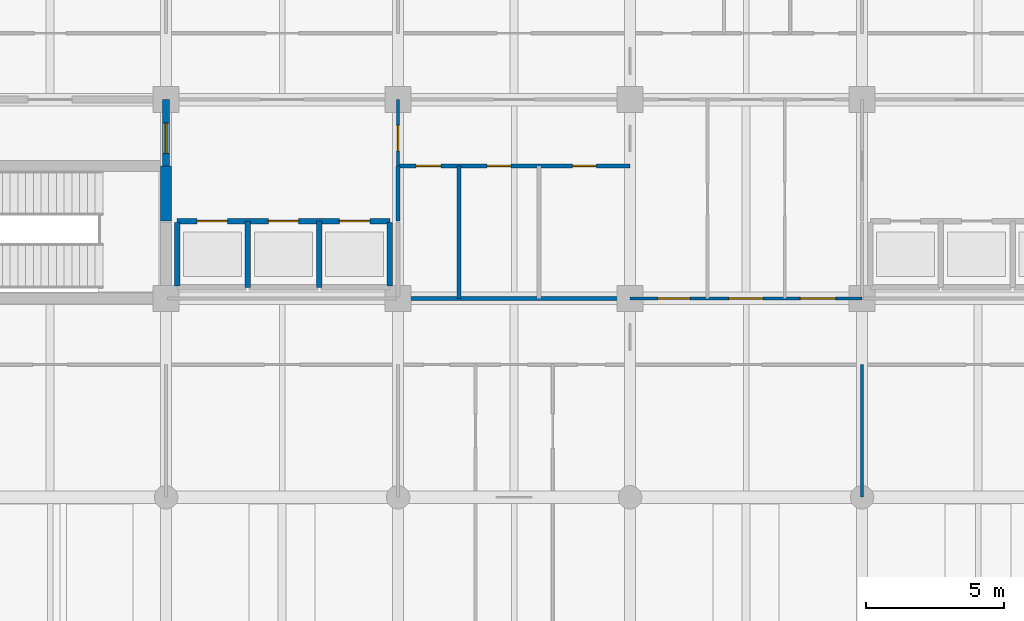
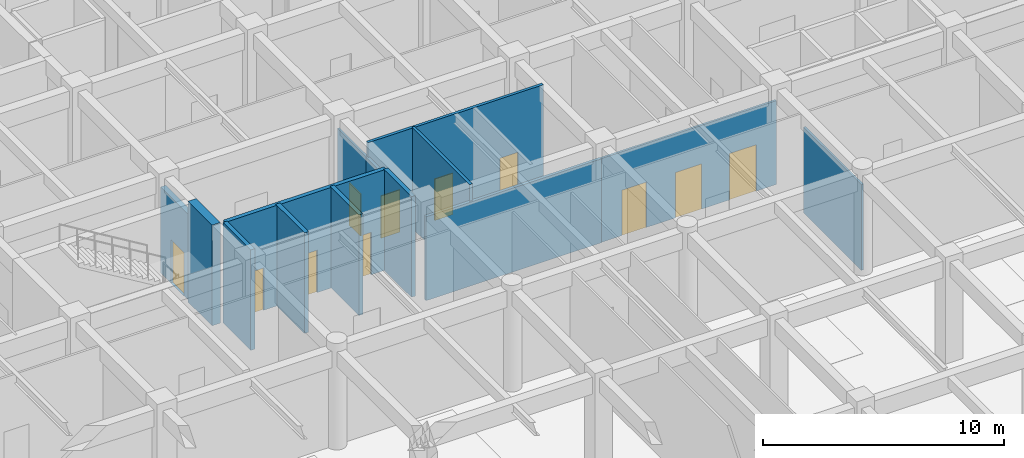
# One storey, part 24 of 48: 14 walls, 11 doors, 11 openings.
"""IFC4 building model written with IfcOpenShell, lengths in metres."""

from ifc_helpers import new_model, si_unit, direction, frame, frame_2d, origin, place, context, subcontext, project, spatial, rectangle, extrude, material, layer, layer_set, type_object, element, fill, save


model = new_model("IFC4")

# Units and contexts
model_context = context("Model", 3, precision=1e-05, world=origin(), true_north=direction((0.0, 1.0)))
body_context = subcontext(model_context, "Body", "Model", "MODEL_VIEW")
ifc_project = project(units=[si_unit("LENGTHUNIT", "METRE"), si_unit("AREAUNIT", "SQUARE_METRE"), si_unit("VOLUMEUNIT", "CUBIC_METRE"), si_unit("PLANEANGLEUNIT", "RADIAN"), si_unit("MASSUNIT", "GRAM", prefix="KILO")], contexts=[model_context])

# Site, building, storey
site_placement = place(None, origin())
site = spatial("IfcSite", under=ifc_project, at=site_placement, CompositionType="ELEMENT")
building_placement = place(site_placement, origin())
building = spatial("IfcBuilding", under=site, at=building_placement, Name="Chengyuan Square Courthouse", CompositionType="ELEMENT")
storey_placement = place(building_placement, frame((0.0, 0.0, -5.39990234375)))
storey = spatial("IfcBuildingStorey", under=building, at=storey_placement, Name="B01", CompositionType="ELEMENT", Elevation=-5.39990234375)

# Wall, opening, door
ifc_material_1 = material(Name="Concrete C40", Category="concrete")
ifc_layer_1 = layer(ifc_material_1, 0.25)
ifc_layer_set_1 = layer_set([ifc_layer_1], Name="Concrete C40")
wall_type_1 = type_object("IfcWallType", Name="WL-FW1", PredefinedType="STANDARD", material=ifc_layer_set_1)
wall_1_placement = place(storey_placement, frame((67.199951171875, 91.199951171875, 0.0), z_axis=(0.0, 0.0, 1.0), x_axis=(0.0, 1.0, 0.0)))
wall_1 = element("IfcWall", 1, at=wall_1_placement, inside=storey, type_object=wall_type_1, Name="Interior Wall WL-B01-I494", PredefinedType="STANDARD", context=body_context, shape_type="SweptSolid", body=[
    extrude(rectangle(XDim=2.400146484375, YDim=0.25, at=frame_2d((1.2001953125, 0.0))), origin(), (0.0, 0.0, 1.0), 4.349853515625),
])
opening_1_placement = place(wall_1_placement, frame((0.452392578125, 0.0, 0.0)))
opening_1 = element("IfcOpeningElement", 2, at=opening_1_placement, cuts=wall_1, Name="Opening DR-351", PredefinedType="OPENING", context=body_context, shape_type="SweptSolid", body=[
    extrude(rectangle(XDim=1.10009765625, YDim=2.199951171875, at=frame_2d((0.550048828125, 1.10009765625))), frame((0.0, 0.136962890625, 0.0), z_axis=(0.0, -1.0, 0.0), x_axis=(1.0, 0.0, 0.0)), (0.0, 0.0, 1.0), 0.27392578125),
])
ifc_material_2 = material(Name="Steel Q235B Fire Door", Category="steel")
door_type_1 = type_object("IfcDoorType", Name="DT-10", OperationType="NOTDEFINED", PredefinedType="DOOR", material=ifc_material_2)
door_1_placement = place(opening_1_placement, origin())
door_1 = element("IfcDoor", 3, at=door_1_placement, inside=storey, type_object=door_type_1, Name="Interior Door DR-351", OperationType="SINGLE_SWING_RIGHT", OverallHeight=2.199951171875, OverallWidth=1.10009765625, PredefinedType="DOOR", context=body_context, shape_type="SweptSolid", body=[
    extrude(rectangle(XDim=1.10009765625, YDim=2.199951171875, at=frame_2d((0.550048828125, 1.10009765625))), frame((0.0, 0.02490234375, 0.0), z_axis=(0.0, -1.0, 0.0), x_axis=(1.0, 0.0, 0.0)), (0.0, 0.0, 1.0), 0.050048828125),
])
fill(opening_1, door_1)

# Wall
ifc_material_3 = material(Name="Moisture-Resistant Masonry Wet-Room Partition", Category="masonry")
ifc_layer_2 = layer(ifc_material_3, 0.139892578125)
ifc_layer_set_2 = layer_set([ifc_layer_2], Name="Moisture-Resistant Masonry Wet-Room Partition")
wall_type_2 = type_object("IfcWallType", Name="WL-PT4", PredefinedType="STANDARD", material=ifc_layer_set_2)
wall_2_placement = place(storey_placement, frame((75.60009765625, 86.39990234375, 0.0), z_axis=(0.0, 0.0, 1.0), x_axis=(1.0, 0.0, 0.0)))
element("IfcWall", 4, at=wall_2_placement, inside=storey, type_object=wall_type_2, Name="Interior Wall WL-B01-I312", PredefinedType="STANDARD", context=body_context, shape_type="SweptSolid", body=[
    extrude(rectangle(XDim=8.39990234375, YDim=0.139892578125, at=frame_2d((4.199951171875, 0.0))), origin(), (0.0, 0.0, 1.0), 4.25),
])

# Wall, openings, doors
wall_3_placement = place(storey_placement, frame((75.60009765625, 91.199951171875, 0.0), z_axis=(0.0, 0.0, 1.0), x_axis=(1.0, 0.0, 0.0)))
wall_3 = element("IfcWall", 5, at=wall_3_placement, inside=storey, type_object=wall_type_2, Name="Interior Wall WL-B01-I332", PredefinedType="STANDARD", context=body_context, shape_type="SweptSolid", body=[
    extrude(rectangle(XDim=8.39990234375, YDim=0.139892578125, at=frame_2d((4.199951171875, 0.0))), origin(), (0.0, 0.0, 1.0), 5.099853515625),
])
opening_2_placement = place(wall_3_placement, frame((0.64990234375, 0.0, 0.0)))
opening_2 = element("IfcOpeningElement", 6, at=opening_2_placement, cuts=wall_3, Name="Opening DR-475", PredefinedType="OPENING", context=body_context, shape_type="SweptSolid", body=[
    extrude(rectangle(XDim=0.89990234375, YDim=2.14990234375, at=frame_2d((0.449951171875, 1.074951171875))), frame((0.0, 0.08203125, 0.0), z_axis=(0.0, -1.0, 0.0), x_axis=(1.0, 0.0, 0.0)), (0.0, 0.0, 1.0), 0.163818359375),
])
opening_3_placement = place(wall_3_placement, frame((3.219970703125, 0.0, 0.0)))
opening_3 = element("IfcOpeningElement", 7, at=opening_3_placement, cuts=wall_3, Name="Opening DR-476", PredefinedType="OPENING", context=body_context, shape_type="SweptSolid", body=[
    extrude(rectangle(XDim=0.860107421875, YDim=2.10009765625, at=frame_2d((0.43017578125, 1.050048828125))), frame((0.0, 0.08203125, 0.0), z_axis=(0.0, -1.0, 0.0), x_axis=(1.0, 0.0, 0.0)), (0.0, 0.0, 1.0), 0.163818359375),
])
opening_4_placement = place(wall_3_placement, frame((6.320068359375, 0.0, 0.0)))
opening_4 = element("IfcOpeningElement", 8, at=opening_4_placement, cuts=wall_3, Name="Opening DR-477", PredefinedType="OPENING", context=body_context, shape_type="SweptSolid", body=[
    extrude(rectangle(XDim=0.860107421875, YDim=2.10009765625, at=frame_2d((0.43017578125, 1.050048828125))), frame((0.0, 0.08203125, 0.0), z_axis=(0.0, -1.0, 0.0), x_axis=(1.0, 0.0, 0.0)), (0.0, 0.0, 1.0), 0.163818359375),
])
ifc_material_4 = material(Name="Acoustic Solid-Core Timber Door", Category="wood")
door_type_2 = type_object("IfcDoorType", Name="DT-27", OperationType="NOTDEFINED", PredefinedType="DOOR", material=ifc_material_4)
door_2_placement = place(opening_2_placement, origin())
door_2 = element("IfcDoor", 9, at=door_2_placement, inside=storey, type_object=door_type_2, Name="Interior Door DR-475", OperationType="SINGLE_SWING_RIGHT", OverallHeight=2.14990234375, OverallWidth=0.89990234375, PredefinedType="DOOR", context=body_context, shape_type="SweptSolid", body=[
    extrude(rectangle(XDim=0.89990234375, YDim=2.14990234375, at=frame_2d((0.449951171875, 1.074951171875))), frame((0.0, 0.02490234375, 0.0), z_axis=(0.0, -1.0, 0.0), x_axis=(1.0, 0.0, 0.0)), (0.0, 0.0, 1.0), 0.050048828125),
])
fill(opening_2, door_2)
door_type_3 = type_object("IfcDoorType", Name="DT-28", OperationType="NOTDEFINED", PredefinedType="DOOR", material=ifc_material_4)
door_3_placement = place(opening_3_placement, origin())
door_3 = element("IfcDoor", 10, at=door_3_placement, inside=storey, type_object=door_type_3, Name="Interior Door DR-476", OperationType="SINGLE_SWING_LEFT", OverallHeight=2.10009765625, OverallWidth=0.860107421875, PredefinedType="DOOR", context=body_context, shape_type="SweptSolid", body=[
    extrude(rectangle(XDim=0.860107421875, YDim=2.10009765625, at=frame_2d((0.43017578125, 1.050048828125))), frame((0.0, 0.02490234375, 0.0), z_axis=(0.0, -1.0, 0.0), x_axis=(1.0, 0.0, 0.0)), (0.0, 0.0, 1.0), 0.050048828125),
])
fill(opening_3, door_3)
door_4_placement = place(opening_4_placement, origin())
door_4 = element("IfcDoor", 11, at=door_4_placement, inside=storey, type_object=door_type_3, Name="Interior Door DR-477", OperationType="SINGLE_SWING_RIGHT", OverallHeight=2.10009765625, OverallWidth=0.860107421875, PredefinedType="DOOR", context=body_context, shape_type="SweptSolid", body=[
    extrude(rectangle(XDim=0.860107421875, YDim=2.10009765625, at=frame_2d((0.43017578125, 1.050048828125))), frame((0.0, 0.02490234375, 0.0), z_axis=(0.0, -1.0, 0.0), x_axis=(1.0, 0.0, 0.0)), (0.0, 0.0, 1.0), 0.050048828125),
])
fill(opening_4, door_4)

# Walls
wall_4_placement = place(storey_placement, frame((75.60009765625, 89.199951171875, 0.0), z_axis=(0.0, 0.0, 1.0), x_axis=(0.0, 1.0, 0.0)))
element("IfcWall", 12, at=wall_4_placement, inside=storey, type_object=wall_type_2, Name="Interior Wall WL-B01-I510", PredefinedType="STANDARD", context=body_context, shape_type="SweptSolid", body=[
    extrude(rectangle(XDim=2.0, YDim=0.139892578125, at=frame_2d((1.0, 0.0))), origin(), (0.0, 0.0, 1.0), 4.349853515625),
])
wall_5_placement = place(storey_placement, frame((77.800048828125, 86.39990234375, 0.0), z_axis=(0.0, 0.0, 1.0), x_axis=(0.0, 1.0, 0.0)))
element("IfcWall", 13, at=wall_5_placement, inside=storey, type_object=wall_type_2, Name="Interior Wall WL-B01-I517", PredefinedType="STANDARD", context=body_context, shape_type="SweptSolid", body=[
    extrude(rectangle(XDim=4.800048828125, YDim=0.139892578125, at=frame_2d((2.39990234375, 0.0))), origin(), (0.0, 0.0, 1.0), 5.099853515625),
])

# Wall, openings, doors
ifc_material_5 = material(Name="Gypsum Plasterboard Acoustic Stud Partition")
ifc_layer_3 = layer(ifc_material_5, 0.10009765625)
ifc_layer_set_3 = layer_set([ifc_layer_3], Name="Gypsum Plasterboard Acoustic Stud Partition")
wall_type_3 = type_object("IfcWallType", Name="WL-PT6", PredefinedType="STANDARD", material=ifc_layer_set_3)
wall_6_placement = place(storey_placement, frame((84.0, 86.39990234375, 0.0), z_axis=(0.0, 0.0, 1.0), x_axis=(1.0, 0.0, 0.0)))
wall_6 = element("IfcWall", 14, at=wall_6_placement, inside=storey, type_object=wall_type_3, Name="Interior Wall WL-B01-I313", PredefinedType="STANDARD", context=body_context, shape_type="SweptSolid", body=[
    extrude(rectangle(XDim=8.39990234375, YDim=0.10009765625, at=frame_2d((4.199951171875, 0.0))), origin(), (0.0, 0.0, 1.0), 4.25),
])
opening_5_placement = place(wall_6_placement, frame((1.017578125, 0.0, 0.0)))
opening_5 = element("IfcOpeningElement", 15, at=opening_5_placement, cuts=wall_6, Name="Opening DR-569", PredefinedType="OPENING", context=body_context, shape_type="SweptSolid", body=[
    extrude(rectangle(XDim=1.159912109375, YDim=2.300048828125, at=frame_2d((0.580078125, 1.14990234375))), frame((0.0, 0.06201171875, 0.0), z_axis=(0.0, -1.0, 0.0), x_axis=(1.0, 0.0, 0.0)), (0.0, 0.0, 1.0), 0.1240234375),
])
opening_6_placement = place(wall_6_placement, frame((3.580078125, 0.0, 0.0)))
opening_6 = element("IfcOpeningElement", 16, at=opening_6_placement, cuts=wall_6, Name="Opening DR-571", PredefinedType="OPENING", context=body_context, shape_type="SweptSolid", body=[
    extrude(rectangle(XDim=1.239990234375, YDim=2.300048828125, at=frame_2d((0.6201171875, 1.14990234375))), frame((0.0, 0.06201171875, 0.0), z_axis=(0.0, -1.0, 0.0), x_axis=(1.0, 0.0, 0.0)), (0.0, 0.0, 1.0), 0.1240234375),
])
opening_7_placement = place(wall_6_placement, frame((6.16259765625, 0.0, 0.0)))
opening_7 = element("IfcOpeningElement", 17, at=opening_7_placement, cuts=wall_6, Name="Opening DR-572", PredefinedType="OPENING", context=body_context, shape_type="SweptSolid", body=[
    extrude(rectangle(XDim=1.280029296875, YDim=2.35009765625, at=frame_2d((0.64013671875, 1.175048828125))), frame((0.0, 0.06201171875, 0.0), z_axis=(0.0, -1.0, 0.0), x_axis=(1.0, 0.0, 0.0)), (0.0, 0.0, 1.0), 0.1240234375),
])
door_type_4 = type_object("IfcDoorType", Name="DT-35", OperationType="NOTDEFINED", PredefinedType="DOOR", material=ifc_material_4)
door_5_placement = place(opening_5_placement, origin())
door_5 = element("IfcDoor", 18, at=door_5_placement, inside=storey, type_object=door_type_4, Name="Interior Door DR-569", OperationType="SINGLE_SWING_RIGHT", OverallHeight=2.300048828125, OverallWidth=1.159912109375, PredefinedType="DOOR", context=body_context, shape_type="SweptSolid", body=[
    extrude(rectangle(XDim=1.159912109375, YDim=2.300048828125, at=frame_2d((0.580078125, 1.14990234375))), frame((0.0, 0.02490234375, 0.0), z_axis=(0.0, -1.0, 0.0), x_axis=(1.0, 0.0, 0.0)), (0.0, 0.0, 1.0), 0.050048828125),
])
fill(opening_5, door_5)
door_type_5 = type_object("IfcDoorType", Name="DT-37", OperationType="NOTDEFINED", PredefinedType="DOOR", material=ifc_material_4)
door_6_placement = place(opening_6_placement, origin())
door_6 = element("IfcDoor", 19, at=door_6_placement, inside=storey, type_object=door_type_5, Name="Interior Door DR-571", OperationType="SINGLE_SWING_RIGHT", OverallHeight=2.300048828125, OverallWidth=1.239990234375, PredefinedType="DOOR", context=body_context, shape_type="SweptSolid", body=[
    extrude(rectangle(XDim=1.239990234375, YDim=2.300048828125, at=frame_2d((0.6201171875, 1.14990234375))), frame((0.0, 0.02490234375, 0.0), z_axis=(0.0, -1.0, 0.0), x_axis=(1.0, 0.0, 0.0)), (0.0, 0.0, 1.0), 0.050048828125),
])
fill(opening_6, door_6)
door_type_6 = type_object("IfcDoorType", Name="DT-38", OperationType="NOTDEFINED", PredefinedType="DOOR", material=ifc_material_4)
door_7_placement = place(opening_7_placement, origin())
door_7 = element("IfcDoor", 20, at=door_7_placement, inside=storey, type_object=door_type_6, Name="Interior Door DR-572", OperationType="SINGLE_SWING_LEFT", OverallHeight=2.35009765625, OverallWidth=1.280029296875, PredefinedType="DOOR", context=body_context, shape_type="SweptSolid", body=[
    extrude(rectangle(XDim=1.280029296875, YDim=2.35009765625, at=frame_2d((0.64013671875, 1.175048828125))), frame((0.0, 0.02490234375, 0.0), z_axis=(0.0, -1.0, 0.0), x_axis=(1.0, 0.0, 0.0)), (0.0, 0.0, 1.0), 0.050048828125),
])
fill(opening_7, door_7)

# Wall, opening, door
wall_7_placement = place(storey_placement, frame((75.60009765625, 91.199951171875, 0.0), z_axis=(0.0, 0.0, 1.0), x_axis=(0.0, 1.0, 0.0)))
wall_7 = element("IfcWall", 21, at=wall_7_placement, inside=storey, type_object=wall_type_3, Name="Interior Wall WL-B01-I511", PredefinedType="STANDARD", context=body_context, shape_type="SweptSolid", body=[
    extrude(rectangle(XDim=2.400146484375, YDim=0.10009765625, at=frame_2d((1.2001953125, 0.0))), origin(), (0.0, 0.0, 1.0), 4.349853515625),
])
opening_8_placement = place(wall_7_placement, frame((0.54248046875, 0.0, 0.0)))
opening_8 = element("IfcOpeningElement", 22, at=opening_8_placement, cuts=wall_7, Name="Opening DR-427", PredefinedType="OPENING", context=body_context, shape_type="SweptSolid", body=[
    extrude(rectangle(XDim=0.919921875, YDim=2.14990234375, at=frame_2d((0.4599609375, 1.074951171875))), frame((0.0, 0.06201171875, 0.0), z_axis=(0.0, -1.0, 0.0), x_axis=(1.0, 0.0, 0.0)), (0.0, 0.0, 1.0), 0.1240234375),
])
door_type_7 = type_object("IfcDoorType", Name="DT-29", OperationType="NOTDEFINED", PredefinedType="DOOR", material=ifc_material_4)
door_8_placement = place(opening_8_placement, origin())
door_8 = element("IfcDoor", 23, at=door_8_placement, inside=storey, type_object=door_type_7, Name="Interior Door DR-427", OperationType="SINGLE_SWING_RIGHT", OverallHeight=2.14990234375, OverallWidth=0.919921875, PredefinedType="DOOR", context=body_context, shape_type="SweptSolid", body=[
    extrude(rectangle(XDim=0.919921875, YDim=2.14990234375, at=frame_2d((0.4599609375, 1.074951171875))), frame((0.0, 0.02490234375, 0.0), z_axis=(0.0, -1.0, 0.0), x_axis=(1.0, 0.0, 0.0)), (0.0, 0.0, 1.0), 0.050048828125),
])
fill(opening_8, door_8)

# Wall
wall_8_placement = place(storey_placement, frame((92.39990234375, 79.199951171875, 0.0), z_axis=(0.0, 0.0, 1.0), x_axis=(0.0, 1.0, 0.0)))
element("IfcWall", 24, at=wall_8_placement, inside=storey, type_object=wall_type_3, Name="Interior Wall WL-B01-I535", PredefinedType="STANDARD", context=body_context, shape_type="SweptSolid", body=[
    extrude(rectangle(XDim=4.800048828125, YDim=0.10009765625, at=frame_2d((2.39990234375, 0.0))), origin(), (0.0, 0.0, 1.0), 4.349853515625),
])

# Wall, openings, doors
ifc_material_6 = material(Name="Reinforced Masonry Shaft Enclosure", Category="masonry")
ifc_layer_4 = layer(ifc_material_6, 0.199951171875)
ifc_layer_set_4 = layer_set([ifc_layer_4], Name="Reinforced Masonry Shaft Enclosure")
wall_type_4 = type_object("IfcWallType", Name="WL-SH1", PredefinedType="STANDARD", material=ifc_layer_set_4)
wall_9_placement = place(storey_placement, frame((67.60009765625, 89.199951171875, 0.0), z_axis=(0.0, 0.0, 1.0), x_axis=(1.0, 0.0, 0.0)))
wall_9 = element("IfcWall", 25, at=wall_9_placement, inside=storey, type_object=wall_type_4, Name="Interior Wall WL-B01-I327", PredefinedType="STANDARD", context=body_context, shape_type="SweptSolid", body=[
    extrude(rectangle(XDim=7.699951171875, YDim=0.199951171875, at=frame_2d((3.85009765625, 0.0))), origin(), (0.0, 0.0, 1.0), 5.099853515625),
])
opening_9_placement = place(wall_9_placement, frame((0.72509765625, 0.0, 0.0)))
opening_9 = element("IfcOpeningElement", 26, at=opening_9_placement, cuts=wall_9, Name="Opening LD-013", PredefinedType="OPENING", context=body_context, shape_type="SweptSolid", body=[
    extrude(rectangle(XDim=1.10009765625, YDim=2.14990234375, at=frame_2d((0.550048828125, 1.074951171875))), frame((0.0, 0.112060546875, 0.0), z_axis=(0.0, -1.0, 0.0), x_axis=(1.0, 0.0, 0.0)), (0.0, 0.0, 1.0), 0.223876953125),
])
opening_10_placement = place(wall_9_placement, frame((3.300048828125, 0.0, 0.0)))
opening_10 = element("IfcOpeningElement", 27, at=opening_10_placement, cuts=wall_9, Name="Opening LD-014", PredefinedType="OPENING", context=body_context, shape_type="SweptSolid", body=[
    extrude(rectangle(XDim=1.10009765625, YDim=2.14990234375, at=frame_2d((0.550048828125, 1.074951171875))), frame((0.0, 0.112060546875, 0.0), z_axis=(0.0, -1.0, 0.0), x_axis=(1.0, 0.0, 0.0)), (0.0, 0.0, 1.0), 0.223876953125),
])
opening_11_placement = place(wall_9_placement, frame((5.875, 0.0, 0.0)))
opening_11 = element("IfcOpeningElement", 28, at=opening_11_placement, cuts=wall_9, Name="Opening LD-015", PredefinedType="OPENING", context=body_context, shape_type="SweptSolid", body=[
    extrude(rectangle(XDim=1.10009765625, YDim=2.14990234375, at=frame_2d((0.550048828125, 1.074951171875))), frame((0.0, 0.112060546875, 0.0), z_axis=(0.0, -1.0, 0.0), x_axis=(1.0, 0.0, 0.0)), (0.0, 0.0, 1.0), 0.223876953125),
])
ifc_material_7 = material(Name="Stainless Steel S30408 Lift Landing Door", Category="steel")
door_type_8 = type_object("IfcDoorType", Name="DT-06", OperationType="DOUBLE_DOOR_SLIDING", PredefinedType="DOOR", material=ifc_material_7)
door_9_placement = place(opening_9_placement, origin())
door_9 = element("IfcDoor", 29, at=door_9_placement, inside=storey, type_object=door_type_8, Name="Lift Landing Door LF-P1 B01", OperationType="DOUBLE_DOOR_SLIDING", OverallHeight=2.14990234375, OverallWidth=1.10009765625, PredefinedType="DOOR", context=body_context, shape_type="SweptSolid", body=[
    extrude(rectangle(XDim=1.10009765625, YDim=2.14990234375, at=frame_2d((0.550048828125, 1.074951171875))), frame((0.0, 0.02490234375, 0.0), z_axis=(0.0, -1.0, 0.0), x_axis=(1.0, 0.0, 0.0)), (0.0, 0.0, 1.0), 0.050048828125),
])
fill(opening_9, door_9)
door_10_placement = place(opening_10_placement, origin())
door_10 = element("IfcDoor", 30, at=door_10_placement, inside=storey, type_object=door_type_8, Name="Lift Landing Door LF-P2 B01", OperationType="DOUBLE_DOOR_SLIDING", OverallHeight=2.14990234375, OverallWidth=1.10009765625, PredefinedType="DOOR", context=body_context, shape_type="SweptSolid", body=[
    extrude(rectangle(XDim=1.10009765625, YDim=2.14990234375, at=frame_2d((0.550048828125, 1.074951171875))), frame((0.0, 0.02490234375, 0.0), z_axis=(0.0, -1.0, 0.0), x_axis=(1.0, 0.0, 0.0)), (0.0, 0.0, 1.0), 0.050048828125),
])
fill(opening_10, door_10)
door_11_placement = place(opening_11_placement, origin())
door_11 = element("IfcDoor", 31, at=door_11_placement, inside=storey, type_object=door_type_8, Name="Lift Landing Door LF-P3 B01", OperationType="DOUBLE_DOOR_SLIDING", OverallHeight=2.14990234375, OverallWidth=1.10009765625, PredefinedType="DOOR", context=body_context, shape_type="SweptSolid", body=[
    extrude(rectangle(XDim=1.10009765625, YDim=2.14990234375, at=frame_2d((0.550048828125, 1.074951171875))), frame((0.0, 0.02490234375, 0.0), z_axis=(0.0, -1.0, 0.0), x_axis=(1.0, 0.0, 0.0)), (0.0, 0.0, 1.0), 0.050048828125),
])
fill(opening_11, door_11)

# Walls
wall_10_placement = place(storey_placement, frame((67.60009765625, 86.85009765625, 0.0), z_axis=(0.0, 0.0, 1.0), x_axis=(0.0, 1.0, 0.0)))
element("IfcWall", 32, at=wall_10_placement, inside=storey, type_object=wall_type_4, Name="Interior Wall WL-B01-I500", PredefinedType="STANDARD", context=body_context, shape_type="SweptSolid", body=[
    extrude(rectangle(XDim=2.2998046875, YDim=0.199951171875, at=frame_2d((1.14990234375, 0.0))), origin(), (0.0, 0.0, 1.0), 5.099853515625),
])
for number, where, z_axis, x_axis, name in (
    (33, (70.14990234375, 86.800048828125, 0.0), (0.0, 0.0, 1.0), (0.0, 1.0, 0.0), "Interior Wall WL-B01-I502"),
    (34, (72.75, 86.800048828125, 0.0), (0.0, 0.0, 1.0), (0.0, 1.0, 0.0), "Interior Wall WL-B01-I506"),
):
    element("IfcWall", number, at=place(storey_placement, frame(where, z_axis=z_axis, x_axis=x_axis)), inside=storey, type_object=wall_type_4, Name=name, PredefinedType="STANDARD", context=body_context, shape_type="SweptSolid", body=[
        extrude(rectangle(XDim=2.39990234375, YDim=0.199951171875, at=frame_2d((1.199951171875, 0.0))), origin(), (0.0, 0.0, 1.0), 5.099853515625),
    ])
wall_11_placement = place(storey_placement, frame((75.300048828125, 86.85009765625, 0.0), z_axis=(0.0, 0.0, 1.0), x_axis=(0.0, 1.0, 0.0)))
element("IfcWall", 35, at=wall_11_placement, inside=storey, type_object=wall_type_4, Name="Interior Wall WL-B01-I507", PredefinedType="STANDARD", context=body_context, shape_type="SweptSolid", body=[
    extrude(rectangle(XDim=2.2998046875, YDim=0.199951171875, at=frame_2d((1.14990234375, 0.0))), origin(), (0.0, 0.0, 1.0), 5.099853515625),
])
ifc_material_8 = material(Name="Concrete C50", Category="concrete")
ifc_layer_5 = layer(ifc_material_8, 0.39990234375)
ifc_layer_set_5 = layer_set([ifc_layer_5], Name="Concrete C50")
wall_type_5 = type_object("IfcWallType", Name="WL-SW1", PredefinedType="SHEAR", material=ifc_layer_set_5)
wall_12_placement = place(storey_placement, frame((67.199951171875, 89.199951171875, 0.0), z_axis=(0.0, 0.0, 1.0), x_axis=(0.0, 1.0, 0.0)))
element("IfcWall", 36, at=wall_12_placement, inside=storey, type_object=wall_type_5, Name="Interior Wall WL-B01-I493", PredefinedType="SHEAR", context=body_context, shape_type="SweptSolid", body=[
    extrude(rectangle(XDim=2.0, YDim=0.39990234375, at=frame_2d((1.0, 0.0))), origin(), (0.0, 0.0, 1.0), 5.099853515625),
])

save(model, "model.ifc")
